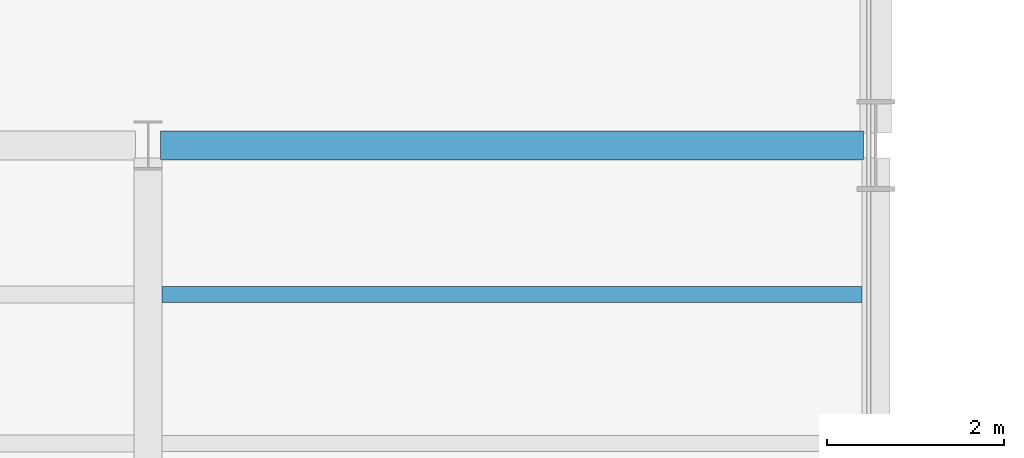
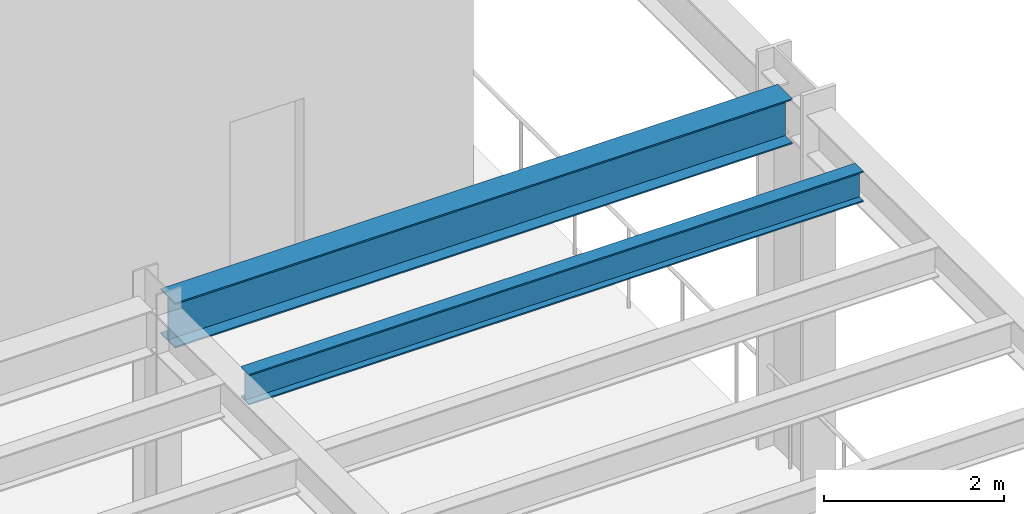
# One storey, part 23 of 98: 2 beams.
"""IFC4 building model written with IfcOpenShell, lengths in metres."""

import ifcopenshell
import ifcopenshell.guid

model = None  # the IFC model being written
_history = None  # IfcOwnerHistory: only IFC2X3 demands one
_inside = {}  # id of a spatial element -> (the spatial element, [elements in it])
_under = {}  # id of a project, library or spatial element -> (it, [spatial elements below it])
_declared = {}  # id of a project -> (the project, [libraries it declares])
_typed = {}  # id of a type object -> (the type object, [elements of that type])
_made_of = {}  # id of a material, layer set ... -> (it, [elements and type objects made of it])


def new_model(schema):
    """Start an empty IFC model of exactly this schema.

    Asked for "IFC4X3", IfcOpenShell would pick the latest addendum, in which some entities
    have other attributes; the version numbers below select the first issue.
    IFC2X3 requires an IfcOwnerHistory on every rooted entity: one is made here for all.
    """
    global model, _history
    if schema == "IFC4X3":
        model = ifcopenshell.file(schema_version=(4, 3, 0, 0))
    else:
        model = ifcopenshell.file(schema=schema)
    _inside.clear()
    _under.clear()
    _declared.clear()
    _typed.clear()
    _made_of.clear()
    _history = None
    if model.schema == "IFC2X3":
        org = make("IfcOrganization", Name="unknown")
        user = make(
            "IfcPersonAndOrganization",
            ThePerson=make("IfcPerson", FamilyName="unknown"),
            TheOrganization=org,
        )
        app = make(
            "IfcApplication",
            ApplicationDeveloper=org,
            Version="unknown",
            ApplicationFullName="unknown",
            ApplicationIdentifier="unknown",
        )
        _history = make(
            "IfcOwnerHistory",
            OwningUser=user,
            OwningApplication=app,
            ChangeAction="ADDED",
            CreationDate=0,
        )
    return model


def make(cls, **values):
    """One entity of the class cls with the attributes given. An attribute that is None is left unset."""
    return model.create_entity(
        cls, **{name: value for name, value in values.items() if value is not None}
    )


def rooted(cls, **values):
    """An entity with a GlobalId (a new one), such as an element, a storey or a relation."""
    return make(cls, GlobalId=ifcopenshell.guid.new(), OwnerHistory=_history, **values)


def si_unit(unit_type, name, prefix=None):
    """IfcSIUnit, for example si_unit("LENGTHUNIT", "METRE", prefix="MILLI")."""
    return make("IfcSIUnit", UnitType=unit_type, Prefix=prefix, Name=name)


def assignment(units):
    """IfcUnitAssignment: the units of a project."""
    return None if units is None else make("IfcUnitAssignment", Units=units)


def point(xyz):
    """IfcCartesianPoint."""
    return None if xyz is None else make("IfcCartesianPoint", Coordinates=xyz)


def direction(xyz):
    """IfcDirection."""
    return None if xyz is None else make("IfcDirection", DirectionRatios=xyz)


def frame(location, z_axis=None, x_axis=None):
    """IfcAxis2Placement3D, a coordinate frame: its origin and axes. An axis left out is left unset."""
    return make(
        "IfcAxis2Placement3D",
        Location=point(location),
        Axis=direction(z_axis),
        RefDirection=direction(x_axis),
    )


def frame_2d(location, x_axis=None):
    """IfcAxis2Placement2D, a coordinate frame in the plane: its origin and x axis."""
    return make(
        "IfcAxis2Placement2D", Location=point(location), RefDirection=direction(x_axis)
    )


def origin():
    """The frame at (0, 0, 0) with its axes left unset."""
    return frame((0.0, 0.0, 0.0))


def origin_2d():
    """The frame at (0, 0) in the plane with its x axis left unset."""
    return frame_2d((0.0, 0.0))


def place(relative_to, where):
    """IfcLocalPlacement: puts the frame where relative to a parent placement (None: the world)."""
    return make(
        "IfcLocalPlacement", PlacementRelTo=relative_to, RelativePlacement=where
    )


def context(
    kind, dimensions, precision=None, world=None, true_north=None, identifier=None
):
    """IfcGeometricRepresentationContext, for example the 3D "Model" context."""
    return make(
        "IfcGeometricRepresentationContext",
        ContextIdentifier=identifier,
        ContextType=kind,
        CoordinateSpaceDimension=dimensions,
        Precision=precision,
        WorldCoordinateSystem=world,
        TrueNorth=true_north,
    )


def subcontext(parent, identifier, kind, view, scale=None):
    """IfcGeometricRepresentationSubContext, for example "Body" below "Model"."""
    return make(
        "IfcGeometricRepresentationSubContext",
        ContextIdentifier=identifier,
        ContextType=kind,
        ParentContext=parent,
        TargetScale=scale,
        TargetView=view,
    )


def project(units=None, contexts=None):
    """IfcProject with its units and contexts."""
    return rooted(
        "IfcProject",
        Name="project",
        RepresentationContexts=contexts,
        UnitsInContext=assignment(units),
    )


def spatial(cls, under=None, at=None, **own):
    """A site, building, storey or space (cls), placed at a placement, below another one or the project."""
    s = rooted(cls, ObjectPlacement=at, **own)
    if under is not None:
        _under.setdefault(under.id(), (under, []))[1].append(s)
    return s


def profile(cls, at=None, kind="AREA", **sizes):
    """A parametric profile (cls). Its sizes go by their IFC names, for example OverallWidth=200.0."""
    return make(cls, ProfileType=kind, Position=at, **sizes)


def i_section(**sizes):
    """IfcIShapeProfileDef."""
    return profile("IfcIShapeProfileDef", **sizes)


def extrude(swept, where, along, depth):
    """IfcExtrudedAreaSolid: the profile swept, set in the frame where, extruded along a direction by depth."""
    return make(
        "IfcExtrudedAreaSolid",
        SweptArea=swept,
        Position=where,
        ExtrudedDirection=direction(along),
        Depth=depth,
    )


def shape(context_of_items, identifier, shape_type, items):
    """IfcShapeRepresentation: the items that make up one representation, for example the "Body"."""
    return make(
        "IfcShapeRepresentation",
        ContextOfItems=context_of_items,
        RepresentationIdentifier=identifier,
        RepresentationType=shape_type,
        Items=items,
    )


def material(Name=None, Category=None):
    """IfcMaterial."""
    return make("IfcMaterial", Name=Name, Category=Category)


def material_profile(
    of_material, cross_section, Name=None, Category=None, Priority=None
):
    """IfcMaterialProfile: a cross section and its material."""
    return make(
        "IfcMaterialProfile",
        Name=Name,
        Material=of_material,
        Profile=cross_section,
        Priority=Priority,
        Category=Category,
    )


def profile_set(profiles, Name=None, composite=None):
    """IfcMaterialProfileSet."""
    return make(
        "IfcMaterialProfileSet",
        Name=Name,
        MaterialProfiles=profiles,
        CompositeProfile=composite,
    )


def made_of(thing, what):
    """Note that an element or type object is made of a material, layer set ...; save() writes the relation."""
    if what is not None:
        _made_of.setdefault(what.id(), (what, []))[1].append(thing)
    return thing


def type_object(cls, material=None, **own):
    """A type object (cls), such as IfcWallType, which elements share."""
    return made_of(rooted(cls, **own), material)


def element(
    cls,
    number,
    at=None,
    inside=None,
    cuts=None,
    type_object=None,
    material=None,
    context=None,
    identifier="Body",
    shape_type=None,
    held_by="IfcProductDefinitionShape",
    body=None,
    shapes=None,
    **own,
):
    """One element of the class cls, such as IfcWall. Its Tag is "e" and its number.

    at: its placement. inside: the storey or other place that contains it. cuts: it is an
    opening in that element (IfcRelVoidsElement). A single representation is given by context,
    identifier, shape_type and body (its items); several are given by shapes. held_by: the class
    of the entity that holds the representations. save() writes the other relations.
    """
    e = rooted(cls, Tag="e%d" % number, ObjectPlacement=at, **own)
    if body is not None:
        shapes = [shape(context, identifier, shape_type, body)]
    if shapes is not None:
        e.Representation = make(held_by, Representations=shapes)
    if inside is not None:
        _inside.setdefault(inside.id(), (inside, []))[1].append(e)
    if cuts is not None:
        rooted(
            "IfcRelVoidsElement", RelatingBuildingElement=cuts, RelatedOpeningElement=e
        )
    if type_object is not None:
        _typed.setdefault(type_object.id(), (type_object, []))[1].append(e)
    return made_of(e, material)


def aggregate(whole, parts):
    """IfcRelAggregates: a whole, such as a stair, and the parts it consists of."""
    return rooted("IfcRelAggregates", RelatingObject=whole, RelatedObjects=parts)


def save(model, path):
    """Write the relations noted so far, then the file.

    IfcRelAggregates (storeys below a building ...), IfcRelContainedInSpatialStructure (elements
    in a storey), IfcRelDefinesByType, IfcRelAssociatesMaterial and IfcRelDeclares: one each for
    every whole, place, type object, material and project.
    """
    for whole, parts in _under.values():
        aggregate(whole, parts)
    for where, things in _inside.values():
        rooted(
            "IfcRelContainedInSpatialStructure",
            RelatedElements=things,
            RelatingStructure=where,
        )
    for kind, things in _typed.values():
        rooted("IfcRelDefinesByType", RelatedObjects=things, RelatingType=kind)
    for what, things in _made_of.values():
        rooted("IfcRelAssociatesMaterial", RelatedObjects=things, RelatingMaterial=what)
    for by, libraries in _declared.values():
        rooted("IfcRelDeclares", RelatingContext=by, RelatedDefinitions=libraries)
    model.write(path)


model = new_model("IFC4")

# Units and contexts
model_context = context("Model", 3, precision=1e-05, world=origin(), true_north=direction((0.0, 1.0)))
body_context = subcontext(model_context, "Body", "Model", "MODEL_VIEW")
ifc_project = project(units=[si_unit("LENGTHUNIT", "METRE"), si_unit("AREAUNIT", "SQUARE_METRE"), si_unit("VOLUMEUNIT", "CUBIC_METRE"), si_unit("PLANEANGLEUNIT", "RADIAN"), si_unit("MASSUNIT", "GRAM", prefix="KILO")], contexts=[model_context])

# Site, building, storey
site_placement = place(None, origin())
site = spatial("IfcSite", under=ifc_project, at=site_placement, CompositionType="ELEMENT")
building_placement = place(site_placement, origin())
building = spatial("IfcBuilding", under=site, at=building_placement, Name="Sollismere Congress Hotel", CompositionType="ELEMENT")
storey_placement = place(building_placement, frame((0.0, 0.0, 5.39990234375)))
storey = spatial("IfcBuildingStorey", under=building, at=storey_placement, Name="L01", CompositionType="ELEMENT", Elevation=5.39990234375)

# Beams
ifc_material = material(Name="Steel ASTM A992 Grade 50", Category="steel")
ifc_material_profile_1 = material_profile(ifc_material, i_section(OverallWidth=0.324951171875, OverallDepth=0.612060546875, WebThickness=0.0126953125, FlangeThickness=0.01904296875, at=origin_2d()), Name="W24X104")
ifc_profile_set_1 = profile_set([ifc_material_profile_1], Name="Steel ASTM A992 Grade 50")
beam_type_1 = type_object("IfcBeamType", Name="BM-G24", PredefinedType="BEAM", material=ifc_profile_set_1)
beam_1_placement = place(storey_placement, frame((9.93994140625, 50.0, 4.814208984375), z_axis=(1.0, 0.0, 0.0), x_axis=(0.0, 1.0, 0.0)))
element("IfcBeam", 1, at=beam_1_placement, inside=storey, type_object=beam_type_1, Name="Beam BM-L01-1577", PredefinedType="BEAM", context=body_context, shape_type="SweptSolid", body=[
    extrude(i_section(OverallWidth=0.324951171875, OverallDepth=0.612060546875, WebThickness=0.0126953125, FlangeThickness=0.01904296875, at=origin_2d()), origin(), (0.0, 0.0, 1.0), 7.920166015625),
])
ifc_material_profile_2 = material_profile(ifc_material, i_section(OverallWidth=0.180908203125, OverallDepth=0.4169921875, WebThickness=0.010986328125, FlangeThickness=0.018310546875, at=origin_2d()), Name="W16X57")
ifc_profile_set_2 = profile_set([ifc_material_profile_2], Name="Steel ASTM A992 Grade 50")
beam_type_2 = type_object("IfcBeamType", Name="BM-J16", PredefinedType="JOIST", material=ifc_profile_set_2)
beam_2_placement = place(storey_placement, frame((9.95751953125, 48.320068359375, 4.91162109375), z_axis=(1.0, 0.0, 0.0), x_axis=(0.0, 1.0, 0.0)))
element("IfcBeam", 2, at=beam_2_placement, inside=storey, type_object=beam_type_2, Name="Beam BM-L01-1742", PredefinedType="JOIST", context=body_context, shape_type="SweptSolid", body=[
    extrude(i_section(OverallWidth=0.180908203125, OverallDepth=0.4169921875, WebThickness=0.010986328125, FlangeThickness=0.018310546875, at=origin_2d()), origin(), (0.0, 0.0, 1.0), 7.885009765625),
])

save(model, "model.ifc")
